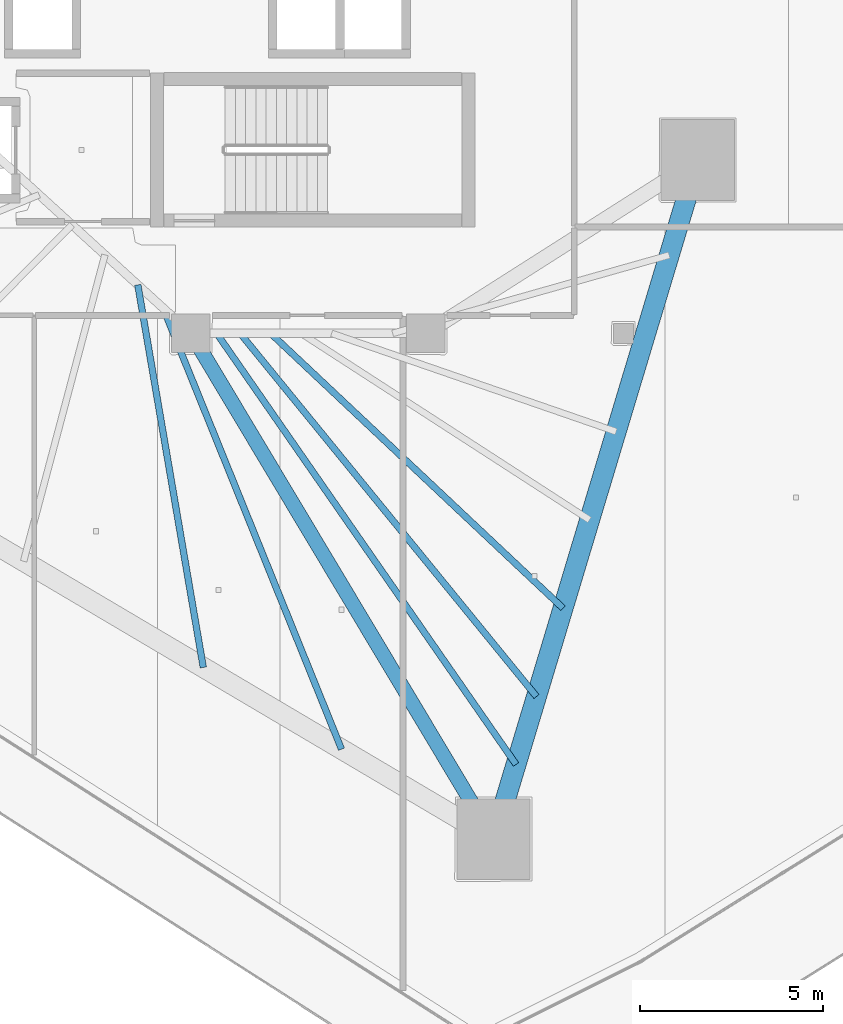
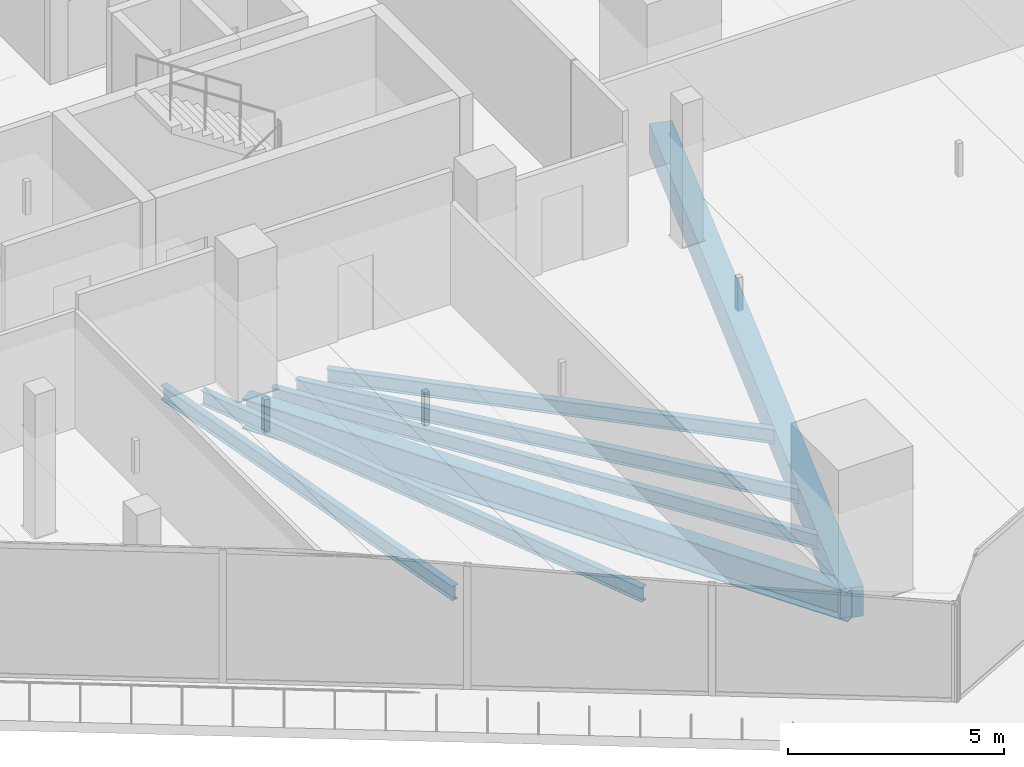
# One storey, part 9 of 42: 7 beams.
"""IFC4 building model written with IfcOpenShell, lengths in metres."""

from ifc_helpers import new_model, si_unit, direction, frame, origin, origin_2d, place, context, subcontext, project, spatial, rectangle, i_section, extrude, material, material_profile, profile_set, type_object, element, save


model = new_model("IFC4")

# Units and contexts
model_context = context("Model", 3, precision=1e-05, world=origin(), true_north=direction((0.0, 1.0)))
body_context = subcontext(model_context, "Body", "Model", "MODEL_VIEW")
ifc_project = project(units=[si_unit("LENGTHUNIT", "METRE"), si_unit("AREAUNIT", "SQUARE_METRE"), si_unit("VOLUMEUNIT", "CUBIC_METRE"), si_unit("PLANEANGLEUNIT", "RADIAN"), si_unit("MASSUNIT", "GRAM", prefix="KILO")], contexts=[model_context])

# Site, building, storey
site_placement = place(None, origin())
site = spatial("IfcSite", under=ifc_project, at=site_placement, CompositionType="ELEMENT")
building_placement = place(site_placement, origin())
building = spatial("IfcBuilding", under=site, at=building_placement, Name="Qorvath Tower", CompositionType="ELEMENT")
storey_placement = place(building_placement, frame((0.0, 0.0, 117.89990234375)))
storey = spatial("IfcBuildingStorey", under=building, at=storey_placement, Name="L26", CompositionType="ELEMENT", Elevation=117.89990234375)

# Beams
ifc_material_1 = material(Name="Steel ASTM A992 Grade 50", Category="steel")
ifc_material_profile_1 = material_profile(ifc_material_1, i_section(OverallWidth=0.39892578125, OverallDepth=0.85498046875, WebThickness=0.018310546875, FlangeThickness=0.029296875, FilletRadius=0.02001953125, at=origin_2d()), Name="W33x201")
ifc_profile_set_1 = profile_set([ifc_material_profile_1], Name="Steel ASTM A992 Grade 50")
beam_type_1 = type_object("IfcBeamType", Name="BM-FG2", PredefinedType="BEAM", material=ifc_profile_set_1)
beam_1_placement = place(storey_placement, frame((-23.60009765625, -11.449951171875, -0.707275390625), z_axis=(0.513497213955, -0.85809126045, 0.0), x_axis=(0.85809126045, 0.513497213955, 0.0)))
element("IfcBeam", 1, at=beam_1_placement, inside=storey, type_object=beam_type_1, Name="Radial Floor Girder CC4-MC3 L26", PredefinedType="BEAM", context=body_context, shape_type="SweptSolid", body=[
    extrude(i_section(OverallWidth=0.39892578125, OverallDepth=0.85498046875, WebThickness=0.018310546875, FlangeThickness=0.029296875, FilletRadius=0.02001953125, at=origin_2d()), origin(), (0.0, 0.0, 1.0), 16.07763671875),
])
ifc_material_2 = material(Name="Steel ASTM A992 Grade 50", Category="steel")
ifc_material_profile_2 = material_profile(ifc_material_2, i_section(OverallWidth=0.177978515625, OverallDepth=0.406005859375, WebThickness=0.0078125, FlangeThickness=0.0126953125, FilletRadius=0.010986328125, at=origin_2d()), Name="W16x40")
ifc_profile_set_2 = profile_set([ifc_material_profile_2], Name="Steel ASTM A992 Grade 50")
beam_type_2 = type_object("IfcBeamType", Name="BM-FJ3", PredefinedType="JOIST", material=ifc_profile_set_2)
beam_2_placement = place(storey_placement, frame((-21.424072265625, -11.449951171875, -0.48291015625), z_axis=(0.728572459091, -0.684968737866, 0.0), x_axis=(0.684968737866, 0.728572459091, 0.0)))
element("IfcBeam", 2, at=beam_2_placement, inside=storey, type_object=beam_type_2, Name="Composite Floor Joist SE5 L26", PredefinedType="JOIST", context=body_context, shape_type="SweptSolid", body=[
    extrude(i_section(OverallWidth=0.177978515625, OverallDepth=0.406005859375, WebThickness=0.0078125, FlangeThickness=0.0126953125, FilletRadius=0.010986328125, at=origin_2d()), origin(), (0.0, 0.0, 1.0), 10.9462890625),
])
beam_3_placement = place(storey_placement, frame((-22.256103515625, -11.449951171875, -0.48291015625), z_axis=(0.632187975212, -0.774815051478, 0.0), x_axis=(0.774815051478, 0.632187975212, 0.0)))
element("IfcBeam", 3, at=beam_3_placement, inside=storey, type_object=beam_type_2, Name="Composite Floor Joist SE6 L26", PredefinedType="JOIST", context=body_context, shape_type="SweptSolid", body=[
    extrude(i_section(OverallWidth=0.177978515625, OverallDepth=0.406005859375, WebThickness=0.0078125, FlangeThickness=0.0126953125, FilletRadius=0.010986328125, at=origin_2d()), origin(), (0.0, 0.0, 1.0), 12.784912109375),
])
beam_4_placement = place(storey_placement, frame((-22.89599609375, -11.449951171875, -0.48291015625), z_axis=(0.570366725248, -0.821390162304, 0.0), x_axis=(0.821390162304, 0.570366725248, 0.0)))
element("IfcBeam", 4, at=beam_4_placement, inside=storey, type_object=beam_type_2, Name="Composite Floor Joist SE7 L26", PredefinedType="JOIST", context=body_context, shape_type="SweptSolid", body=[
    extrude(i_section(OverallWidth=0.177978515625, OverallDepth=0.406005859375, WebThickness=0.0078125, FlangeThickness=0.0126953125, FilletRadius=0.010986328125, at=origin_2d()), origin(), (0.0, 0.0, 1.0), 14.3154296875),
])
beam_5_placement = place(storey_placement, frame((-25.049072265625, -10.126953125, -0.48291015625), z_axis=(0.168745594245, -0.985659639238, 0.0), x_axis=(0.985659639238, 0.168745594245, 0.0)))
element("IfcBeam", 5, at=beam_5_placement, inside=storey, type_object=beam_type_2, Name="Composite Floor Joist SW6 L26", PredefinedType="JOIST", context=body_context, shape_type="SweptSolid", body=[
    extrude(i_section(OverallWidth=0.177978515625, OverallDepth=0.406005859375, WebThickness=0.0078125, FlangeThickness=0.0126953125, FilletRadius=0.010986328125, at=origin_2d()), origin(), (0.0, 0.0, 1.0), 10.589111328125),
])
beam_6_placement = place(storey_placement, frame((-24.35888671875, -10.757080078125, -0.48291015625), z_axis=(0.37487652097, -0.927074751045, 0.0), x_axis=(0.927074751045, 0.37487652097, 0.0)))
element("IfcBeam", 6, at=beam_6_placement, inside=storey, type_object=beam_type_2, Name="Composite Floor Joist SW7 L26", PredefinedType="JOIST", context=body_context, shape_type="SweptSolid", body=[
    extrude(i_section(OverallWidth=0.177978515625, OverallDepth=0.406005859375, WebThickness=0.0078125, FlangeThickness=0.0126953125, FilletRadius=0.010986328125, at=origin_2d()), origin(), (0.0, 0.0, 1.0), 12.9833984375),
])
ifc_material_3 = material(Name="Concrete C50/60", Category="concrete")
ifc_material_profile_3 = material_profile(ifc_material_3, rectangle(XDim=0.550048828125, YDim=0.85009765625, at=origin_2d()), Name="RCB 850x550")
ifc_profile_set_3 = profile_set([ifc_material_profile_3], Name="Concrete C50/60")
beam_type_3 = type_object("IfcBeamType", Name="BM-RCB2", PredefinedType="SPANDREL", material=ifc_profile_set_3)
beam_7_placement = place(storey_placement, frame((-15.34423828125, -25.24609375, -0.704833984375), z_axis=(0.288133952099, 0.957590113591, 0.0), x_axis=(-0.957590113591, 0.288133952099, 0.0)))
element("IfcBeam", 7, at=beam_7_placement, inside=storey, type_object=beam_type_3, Name="Perimeter Loggia Frame Beam MC3-MC4 L26", PredefinedType="SPANDREL", context=body_context, shape_type="SweptSolid", body=[
    extrude(rectangle(XDim=0.550048828125, YDim=0.85009765625, at=origin_2d()), origin(), (0.0, 0.0, 1.0), 19.344970703125),
])

save(model, "model.ifc")
